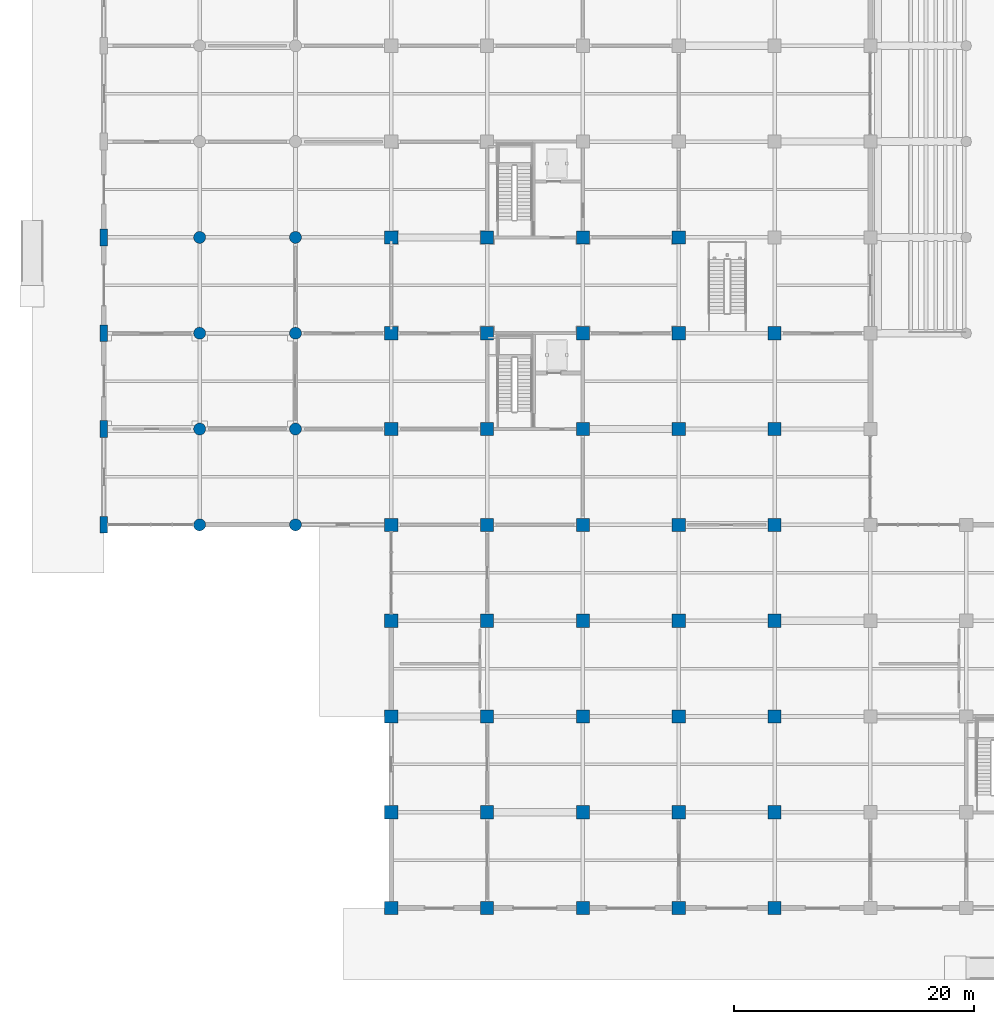
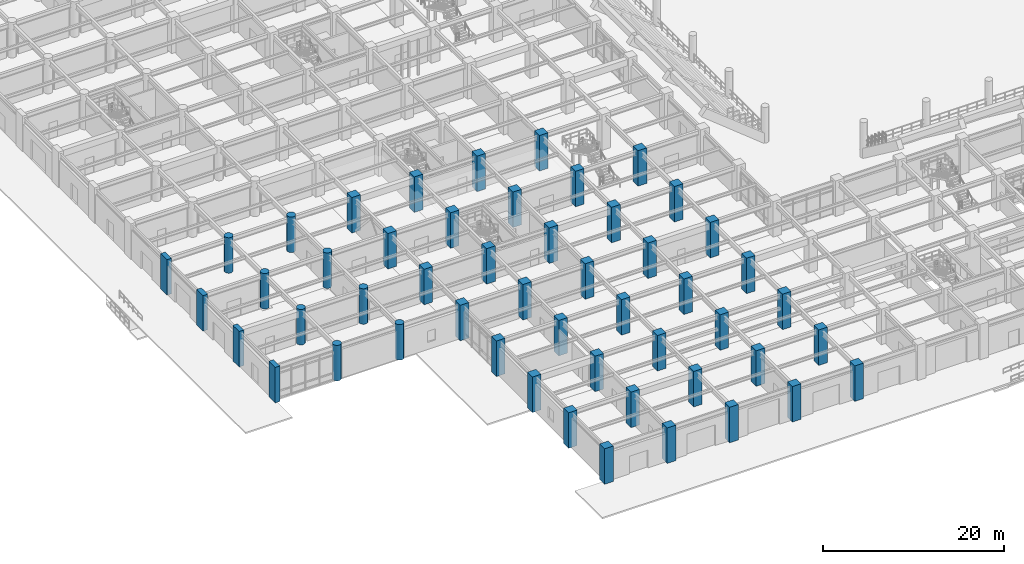
# One storey, part 1 of 125: 51 columns.
"""IFC4 building model written with IfcOpenShell, lengths in metres."""

from ifc_helpers import new_model, si_unit, direction, frame, origin, origin_2d, place, context, subcontext, project, spatial, rectangle, circle, extrude, material, material_profile, profile_set, type_object, element, save


model = new_model("IFC4")

# Units and contexts
model_context = context("Model", 3, precision=1e-05, world=origin(), true_north=direction((0.0, 1.0)))
body_context = subcontext(model_context, "Body", "Model", "MODEL_VIEW")
ifc_project = project(units=[si_unit("LENGTHUNIT", "METRE"), si_unit("AREAUNIT", "SQUARE_METRE"), si_unit("VOLUMEUNIT", "CUBIC_METRE"), si_unit("PLANEANGLEUNIT", "RADIAN"), si_unit("MASSUNIT", "GRAM", prefix="KILO")], contexts=[model_context])

# Site, building, storey
site_placement = place(None, origin())
site = spatial("IfcSite", under=ifc_project, at=site_placement, CompositionType="ELEMENT")
building_placement = place(site_placement, origin())
building = spatial("IfcBuilding", under=site, at=building_placement, Name="Haebicheon Civic Stadium", CompositionType="ELEMENT")
storey_placement = place(building_placement, origin())
storey = spatial("IfcBuildingStorey", under=building, at=storey_placement, Name="L01", CompositionType="ELEMENT", Elevation=0.0)

# Columns
ifc_material_1 = material(Name="Concrete C40/50", Category="concrete")
ifc_material_profile_1 = material_profile(ifc_material_1, rectangle(XDim=1.10009765625, YDim=1.10009765625, at=origin_2d()), Name="RC-COL-1100x1100")
ifc_profile_set_1 = profile_set([ifc_material_profile_1], Name="Concrete C40/50")
column_type_1 = type_object("IfcColumnType", Name="COL-RC-1100", PredefinedType="COLUMN", material=ifc_profile_set_1)
for number, where, z_axis, x_axis, name in (
    (1, (24.0, 0.0, 0.0), (0.0, 0.0, 1.0), (1.0, 0.0, 0.0), "L01 column 4/A"),
    (2, (24.0, 8.0, 0.0), (0.0, 0.0, 1.0), (1.0, 0.0, 0.0), "L01 column 4/B"),
    (3, (24.0, 16.0, 0.0), (0.0, 0.0, 1.0), (1.0, 0.0, 0.0), "L01 column 4/C"),
    (4, (24.0, 24.0, 0.0), (0.0, 0.0, 1.0), (1.0, 0.0, 0.0), "L01 column 4/D"),
    (5, (24.0, 32.0, 0.0), (0.0, 0.0, 1.0), (1.0, 0.0, 0.0), "L01 column 4/E"),
    (6, (24.0, 40.0, 0.0), (0.0, 0.0, 1.0), (1.0, 0.0, 0.0), "L01 column 4/F"),
    (7, (24.0, 48.0, 0.0), (0.0, 0.0, 1.0), (1.0, 0.0, 0.0), "L01 column 4/G"),
    (8, (24.0, 56.0, 0.0), (0.0, 0.0, 1.0), (1.0, 0.0, 0.0), "L01 column 4/H"),
    (9, (32.0, 0.0, 0.0), (0.0, 0.0, 1.0), (1.0, 0.0, 0.0), "L01 column 5/A"),
    (10, (32.0, 8.0, 0.0), (0.0, 0.0, 1.0), (1.0, 0.0, 0.0), "L01 column 5/B"),
    (11, (32.0, 16.0, 0.0), (0.0, 0.0, 1.0), (1.0, 0.0, 0.0), "L01 column 5/C"),
    (12, (32.0, 24.0, 0.0), (0.0, 0.0, 1.0), (1.0, 0.0, 0.0), "L01 column 5/D"),
    (13, (32.0, 32.0, 0.0), (0.0, 0.0, 1.0), (1.0, 0.0, 0.0), "L01 column 5/E"),
    (14, (32.0, 40.0, 0.0), (0.0, 0.0, 1.0), (1.0, 0.0, 0.0), "L01 column 5/F"),
    (15, (32.0, 48.0, 0.0), (0.0, 0.0, 1.0), (1.0, 0.0, 0.0), "L01 column 5/G"),
    (16, (32.0, 56.0, 0.0), (0.0, 0.0, 1.0), (1.0, 0.0, 0.0), "L01 column 5/H"),
    (17, (40.0, 0.0, 0.0), (0.0, 0.0, 1.0), (1.0, 0.0, 0.0), "L01 column 6/A"),
    (18, (40.0, 8.0, 0.0), (0.0, 0.0, 1.0), (1.0, 0.0, 0.0), "L01 column 6/B"),
    (19, (40.0, 16.0, 0.0), (0.0, 0.0, 1.0), (1.0, 0.0, 0.0), "L01 column 6/C"),
    (20, (40.0, 24.0, 0.0), (0.0, 0.0, 1.0), (1.0, 0.0, 0.0), "L01 column 6/D"),
    (21, (40.0, 32.0, 0.0), (0.0, 0.0, 1.0), (1.0, 0.0, 0.0), "L01 column 6/E"),
    (22, (40.0, 40.0, 0.0), (0.0, 0.0, 1.0), (1.0, 0.0, 0.0), "L01 column 6/F"),
    (23, (40.0, 48.0, 0.0), (0.0, 0.0, 1.0), (1.0, 0.0, 0.0), "L01 column 6/G"),
    (24, (40.0, 56.0, 0.0), (0.0, 0.0, 1.0), (1.0, 0.0, 0.0), "L01 column 6/H"),
    (25, (48.0, 0.0, 0.0), (0.0, 0.0, 1.0), (1.0, 0.0, 0.0), "L01 column 7/A"),
    (26, (48.0, 8.0, 0.0), (0.0, 0.0, 1.0), (1.0, 0.0, 0.0), "L01 column 7/B"),
    (27, (48.0, 16.0, 0.0), (0.0, 0.0, 1.0), (1.0, 0.0, 0.0), "L01 column 7/C"),
    (28, (48.0, 24.0, 0.0), (0.0, 0.0, 1.0), (1.0, 0.0, 0.0), "L01 column 7/D"),
    (29, (48.0, 32.0, 0.0), (0.0, 0.0, 1.0), (1.0, 0.0, 0.0), "L01 column 7/E"),
    (30, (48.0, 40.0, 0.0), (0.0, 0.0, 1.0), (1.0, 0.0, 0.0), "L01 column 7/F"),
    (31, (48.0, 48.0, 0.0), (0.0, 0.0, 1.0), (1.0, 0.0, 0.0), "L01 column 7/G"),
    (32, (48.0, 56.0, 0.0), (0.0, 0.0, 1.0), (1.0, 0.0, 0.0), "L01 column 7/H"),
    (33, (56.0, 0.0, 0.0), (0.0, 0.0, 1.0), (1.0, 0.0, 0.0), "L01 column 8/A"),
    (34, (56.0, 8.0, 0.0), (0.0, 0.0, 1.0), (1.0, 0.0, 0.0), "L01 column 8/B"),
    (35, (56.0, 16.0, 0.0), (0.0, 0.0, 1.0), (1.0, 0.0, 0.0), "L01 column 8/C"),
    (36, (56.0, 24.0, 0.0), (0.0, 0.0, 1.0), (1.0, 0.0, 0.0), "L01 column 8/D"),
    (37, (56.0, 32.0, 0.0), (0.0, 0.0, 1.0), (1.0, 0.0, 0.0), "L01 column 8/E"),
    (38, (56.0, 40.0, 0.0), (0.0, 0.0, 1.0), (1.0, 0.0, 0.0), "L01 column 8/F"),
    (39, (56.0, 48.0, 0.0), (0.0, 0.0, 1.0), (1.0, 0.0, 0.0), "L01 column 8/G"),
):
    element("IfcColumn", number, at=place(storey_placement, frame(where, z_axis=z_axis, x_axis=x_axis)), inside=storey, type_object=column_type_1, material=ifc_profile_set_1, Name=name, PredefinedType="COLUMN", context=body_context, shape_type="SweptSolid", body=[
        extrude(rectangle(XDim=1.10009765625, YDim=1.10009765625, at=origin_2d()), origin(), (0.0, 0.0, 1.0), 4.800048828125),
    ])
ifc_material_2 = material(Name="Concrete C40/50", Category="concrete")
ifc_material_profile_2 = material_profile(ifc_material_2, circle(Radius=0.5, at=origin_2d()), Name="RC-COL-D1000")
ifc_profile_set_2 = profile_set([ifc_material_profile_2], Name="Concrete C40/50")
column_type_2 = type_object("IfcColumnType", Name="COL-RC-D1000", PredefinedType="COLUMN", material=ifc_profile_set_2)
for number, where, z_axis, x_axis, name in (
    (40, (8.0, 32.0, 0.0), (0.0, 0.0, 1.0), (1.0, 0.0, 0.0), "L01 column 2/E"),
    (41, (8.0, 40.0, 0.0), (0.0, 0.0, 1.0), (1.0, 0.0, 0.0), "L01 column 2/F"),
    (42, (8.0, 48.0, 0.0), (0.0, 0.0, 1.0), (1.0, 0.0, 0.0), "L01 column 2/G"),
    (43, (8.0, 56.0, 0.0), (0.0, 0.0, 1.0), (1.0, 0.0, 0.0), "L01 column 2/H"),
    (44, (16.0, 32.0, 0.0), (0.0, 0.0, 1.0), (1.0, 0.0, 0.0), "L01 column 3/E"),
    (45, (16.0, 40.0, 0.0), (0.0, 0.0, 1.0), (1.0, 0.0, 0.0), "L01 column 3/F"),
    (46, (16.0, 48.0, 0.0), (0.0, 0.0, 1.0), (1.0, 0.0, 0.0), "L01 column 3/G"),
    (47, (16.0, 56.0, 0.0), (0.0, 0.0, 1.0), (1.0, 0.0, 0.0), "L01 column 3/H"),
):
    element("IfcColumn", number, at=place(storey_placement, frame(where, z_axis=z_axis, x_axis=x_axis)), inside=storey, type_object=column_type_2, material=ifc_profile_set_2, Name=name, PredefinedType="COLUMN", context=body_context, shape_type="SweptSolid", body=[
        extrude(circle(Radius=0.5, at=origin_2d()), origin(), (0.0, 0.0, 1.0), 4.800048828125),
    ])
ifc_material_3 = material(Name="Concrete C40/50", Category="concrete")
ifc_material_profile_3 = material_profile(ifc_material_3, rectangle(XDim=0.60009765625, YDim=1.39990234375, at=origin_2d()), Name="RC-PIL-600x1400")
ifc_profile_set_3 = profile_set([ifc_material_profile_3], Name="Concrete C40/50")
column_type_3 = type_object("IfcColumnType", Name="PIL-RC-600x1400", PredefinedType="PILASTER", material=ifc_profile_set_3)
for number, where, z_axis, x_axis, name in (
    (48, (0.0, 32.0, 0.0), (0.0, 0.0, 1.0), (1.0, 0.0, 0.0), "L01 column 1/E"),
    (49, (0.0, 40.0, 0.0), (0.0, 0.0, 1.0), (1.0, 0.0, 0.0), "L01 column 1/F"),
    (50, (0.0, 48.0, 0.0), (0.0, 0.0, 1.0), (1.0, 0.0, 0.0), "L01 column 1/G"),
    (51, (0.0, 56.0, 0.0), (0.0, 0.0, 1.0), (1.0, 0.0, 0.0), "L01 column 1/H"),
):
    element("IfcColumn", number, at=place(storey_placement, frame(where, z_axis=z_axis, x_axis=x_axis)), inside=storey, type_object=column_type_3, material=ifc_profile_set_3, Name=name, PredefinedType="PILASTER", context=body_context, shape_type="SweptSolid", body=[
        extrude(rectangle(XDim=0.60009765625, YDim=1.39990234375, at=origin_2d()), origin(), (0.0, 0.0, 1.0), 4.800048828125),
    ])

save(model, "model.ifc")
